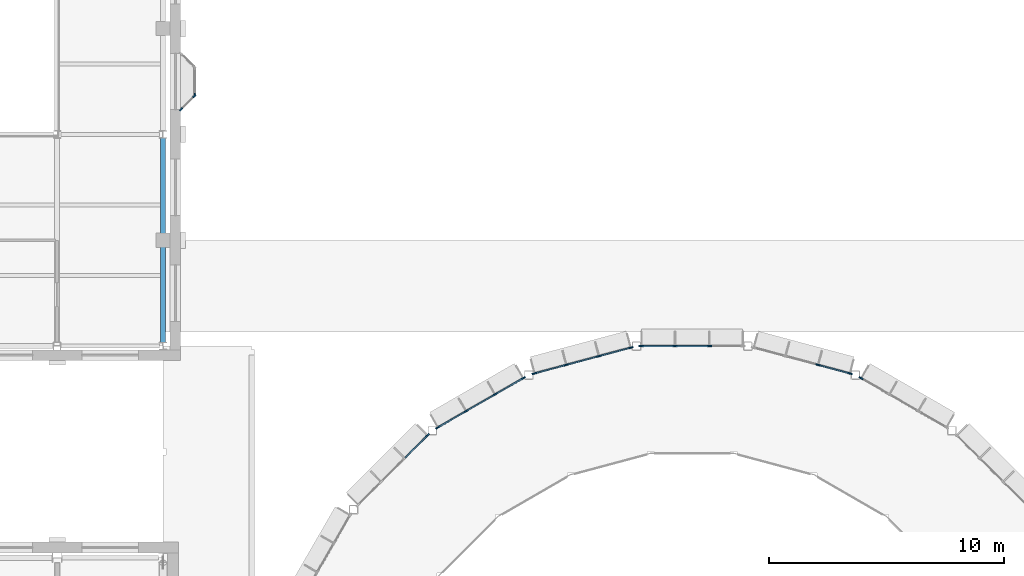
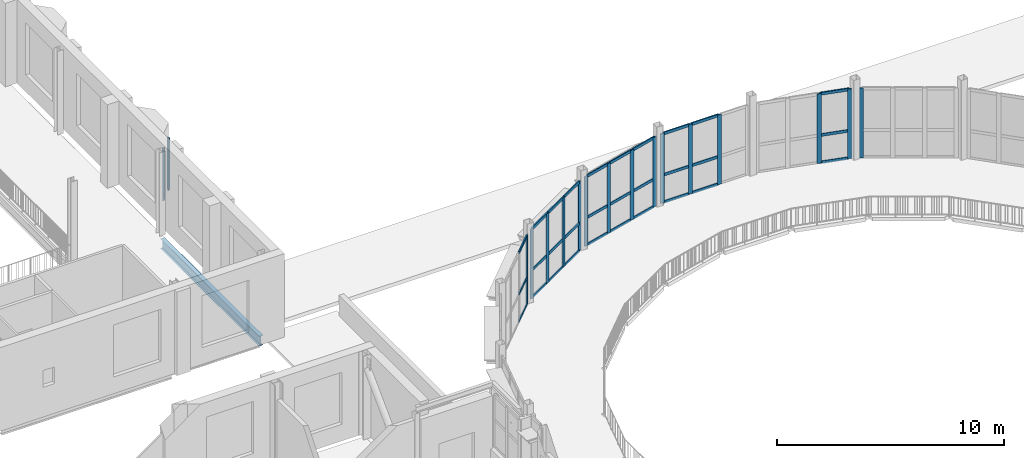
# One storey, part 17 of 74: 48 members, 1 beam, 8 elements without a shape of their own.
"""IFC4 building model written with IfcOpenShell, lengths in metres."""

from ifc_helpers import new_model, si_unit, direction, frame, origin, origin_2d, place, context, subcontext, project, spatial, rectangle, i_section, extrude, material, layer, layer_set, material_profile, profile_set, type_object, element, aggregate, save


model = new_model("IFC4")

# Units and contexts
model_context = context("Model", 3, precision=1e-05, world=origin(), true_north=direction((0.0, 1.0)))
body_context = subcontext(model_context, "Body", "Model", "MODEL_VIEW")
ifc_project = project(units=[si_unit("LENGTHUNIT", "METRE"), si_unit("AREAUNIT", "SQUARE_METRE"), si_unit("VOLUMEUNIT", "CUBIC_METRE"), si_unit("PLANEANGLEUNIT", "RADIAN"), si_unit("MASSUNIT", "GRAM", prefix="KILO")], contexts=[model_context])

# Site, building, storey
site_placement = place(None, origin())
site = spatial("IfcSite", under=ifc_project, at=site_placement, CompositionType="ELEMENT")
building_placement = place(site_placement, origin())
building = spatial("IfcBuilding", under=site, at=building_placement, Name="Hortulan Conservatory and Botanical Research Centre", CompositionType="ELEMENT")
storey_placement = place(building_placement, frame((0.0, 0.0, 6.0)))
storey = spatial("IfcBuildingStorey", under=building, at=storey_placement, Name="L01", CompositionType="ELEMENT", Elevation=6.0)

# Curtain wall, member
ifc_material_1 = material(Name="Bronze-finished aluminium", Category="aluminium")
ifc_layer_1 = layer(ifc_material_1, 0.10009765625)
ifc_layer_set_1 = layer_set([ifc_layer_1], Name="Oriel Curtain Wall 1350 module")
curtain_wall_type_1 = type_object("IfcCurtainWallType", Name="Oriel Curtain Wall 1350 module", PredefinedType="NOTDEFINED", material=ifc_layer_set_1)
curtain_wall_1_placement = place(storey_placement, origin())
curtain_wall_1 = element("IfcCurtainWall", 1, at=curtain_wall_1_placement, inside=storey, type_object=curtain_wall_type_1, Name="Oriel glazing", PredefinedType="NOTDEFINED")
ifc_material_profile_1 = material_profile(ifc_material_1, rectangle(XDim=0.06005859375, YDim=0.159912109375, at=origin_2d()), Name="Bronze Mullion 60x160")
ifc_profile_set_1 = profile_set([ifc_material_profile_1], Name="Bronze-finished aluminium")
member_type_1 = type_object("IfcMemberType", Name="Bronze Mullion 60x160", PredefinedType="MULLION", material=ifc_profile_set_1)
member_1_placement = place(storey_placement, frame((32.85009765625, 46.679931640625, 0.89990234375), z_axis=(0.0, 0.0, 1.0), x_axis=(1.0, 0.0, 0.0)))
member_1 = element("IfcMember", 2, at=member_1_placement, type_object=member_type_1, Name="CW2 mullion 2", PredefinedType="MULLION", context=body_context, shape_type="SweptSolid", body=[
    extrude(rectangle(XDim=0.06005859375, YDim=0.159912109375, at=origin_2d()), origin(), (0.0, 0.0, 1.0), 2.800048828125),
])
aggregate(curtain_wall_1, [member_1])

# Curtain wall, members
curtain_wall_2_placement = place(storey_placement, origin())
curtain_wall_2 = element("IfcCurtainWall", 3, at=curtain_wall_2_placement, inside=storey, type_object=curtain_wall_type_1, Name="Oriel glazing", PredefinedType="NOTDEFINED")
member_2_placement = place(storey_placement, frame((32.828857421875, 46.62890625, 0.89990234375), z_axis=(0.0, 0.0, 1.0), x_axis=(0.707106781187, -0.707106781187, 0.0)))
member_2 = element("IfcMember", 4, at=member_2_placement, type_object=member_type_1, Name="CW2 mullion 1", PredefinedType="MULLION", context=body_context, shape_type="SweptSolid", body=[
    extrude(rectangle(XDim=0.06005859375, YDim=0.159912109375, at=origin_2d()), origin(), (0.0, 0.0, 1.0), 2.800048828125),
])
member_3_placement = place(storey_placement, frame((32.271240234375, 46.0712890625, 0.89990234375), z_axis=(0.0, 0.0, 1.0), x_axis=(0.707106781187, -0.707106781187, 0.0)))
member_3 = element("IfcMember", 5, at=member_3_placement, type_object=member_type_1, Name="CW2 mullion 2", PredefinedType="MULLION", context=body_context, shape_type="SweptSolid", body=[
    extrude(rectangle(XDim=0.06005859375, YDim=0.159912109375, at=origin_2d()), origin(), (0.0, 0.0, 1.0), 2.800048828125),
])
aggregate(curtain_wall_2, [member_2, member_3])

# Curtain wall, member
ifc_layer_2 = layer(ifc_material_1, 0.10009765625)
ifc_layer_set_2 = layer_set([ifc_layer_2], Name="Bronze-framed Curtain Wall 1500 module")
curtain_wall_type_2 = type_object("IfcCurtainWallType", Name="Bronze-framed Curtain Wall 1500 module", PredefinedType="NOTDEFINED", material=ifc_layer_set_2)
curtain_wall_3_placement = place(storey_placement, origin())
curtain_wall_3 = element("IfcCurtainWall", 6, at=curtain_wall_3_placement, inside=storey, type_object=curtain_wall_type_2, Name="Curtain wall", PredefinedType="NOTDEFINED")
ifc_material_profile_2 = material_profile(ifc_material_1, rectangle(XDim=0.06005859375, YDim=0.199951171875, at=origin_2d()), Name="Bronze Mullion 60x200")
ifc_profile_set_2 = profile_set([ifc_material_profile_2], Name="Bronze-finished aluminium")
member_type_2 = type_object("IfcMemberType", Name="Bronze Mullion 60x200", PredefinedType="MULLION", material=ifc_profile_set_2)
member_4_placement = place(storey_placement, frame((61.18115234375, 34.638671875, 0.0), z_axis=(0.0, 0.0, 1.0), x_axis=(0.499981160235, 0.866036280655, 0.0)))
member_4 = element("IfcMember", 7, at=member_4_placement, type_object=member_type_2, Name="CW1 mullion 1", PredefinedType="MULLION", context=body_context, shape_type="SweptSolid", body=[
    extrude(rectangle(XDim=0.06005859375, YDim=0.199951171875, at=origin_2d()), origin(), (0.0, 0.0, 1.0), 3.75),
])
aggregate(curtain_wall_3, [member_4])

# Curtain wall, members
curtain_wall_4_placement = place(storey_placement, origin())
curtain_wall_4 = element("IfcCurtainWall", 8, at=curtain_wall_4_placement, inside=storey, type_object=curtain_wall_type_2, Name="Curtain wall", PredefinedType="NOTDEFINED")
member_5_placement = place(storey_placement, frame((59.35302734375, 35.20068359375, 0.0), z_axis=(0.0, 0.0, 1.0), x_axis=(0.258831936284, 0.965922372015, 0.0)))
member_5 = element("IfcMember", 9, at=member_5_placement, type_object=member_type_2, Name="CW1 mullion 3", PredefinedType="MULLION", context=body_context, shape_type="SweptSolid", body=[
    extrude(rectangle(XDim=0.06005859375, YDim=0.199951171875, at=origin_2d()), origin(), (0.0, 0.0, 1.0), 3.75),
])
member_6_placement = place(storey_placement, frame((60.7119140625, 34.83642578125, 0.0), z_axis=(0.0, 0.0, 1.0), x_axis=(0.258831936284, 0.965922372015, 0.0)))
member_6 = element("IfcMember", 10, at=member_6_placement, type_object=member_type_2, Name="CW1 mullion 4", PredefinedType="MULLION", context=body_context, shape_type="SweptSolid", body=[
    extrude(rectangle(XDim=0.06005859375, YDim=0.199951171875, at=origin_2d()), origin(), (0.0, 0.0, 1.0), 3.75),
])

curtain_wall_5_placement = place(storey_placement, origin())
curtain_wall_5 = element("IfcCurtainWall", 11, at=curtain_wall_5_placement, inside=storey, type_object=curtain_wall_type_2, Name="Curtain wall", PredefinedType="NOTDEFINED")
member_7_placement = place(storey_placement, frame((51.8349609375, 36.0, 0.0), z_axis=(0.0, 0.0, 1.0), x_axis=(0.0, 1.0, 0.0)))
member_7 = element("IfcMember", 12, at=member_7_placement, type_object=member_type_2, Name="CW1 mullion 1", PredefinedType="MULLION", context=body_context, shape_type="SweptSolid", body=[
    extrude(rectangle(XDim=0.06005859375, YDim=0.199951171875, at=origin_2d()), origin(), (0.0, 0.0, 1.0), 3.75),
])
member_8_placement = place(storey_placement, frame((53.268310546875, 36.0, 0.0), z_axis=(0.0, 0.0, 1.0), x_axis=(0.0, 1.0, 0.0)))
member_8 = element("IfcMember", 13, at=member_8_placement, type_object=member_type_2, Name="CW1 mullion 2", PredefinedType="MULLION", context=body_context, shape_type="SweptSolid", body=[
    extrude(rectangle(XDim=0.06005859375, YDim=0.199951171875, at=origin_2d()), origin(), (0.0, 0.0, 1.0), 3.75),
])
member_9_placement = place(storey_placement, frame((54.731689453125, 36.0, 0.0), z_axis=(0.0, 0.0, 1.0), x_axis=(0.0, 1.0, 0.0)))
member_9 = element("IfcMember", 14, at=member_9_placement, type_object=member_type_2, Name="CW1 mullion 3", PredefinedType="MULLION", context=body_context, shape_type="SweptSolid", body=[
    extrude(rectangle(XDim=0.06005859375, YDim=0.199951171875, at=origin_2d()), origin(), (0.0, 0.0, 1.0), 3.75),
])

curtain_wall_6_placement = place(storey_placement, origin())
curtain_wall_6 = element("IfcCurtainWall", 15, at=curtain_wall_6_placement, inside=storey, type_object=curtain_wall_type_2, Name="Curtain wall", PredefinedType="NOTDEFINED")
member_10_placement = place(storey_placement, frame((47.2880859375, 34.83642578125, 0.0), z_axis=(0.0, 0.0, 1.0), x_axis=(-0.258831936284, 0.965922372015, 0.0)))
member_10 = element("IfcMember", 16, at=member_10_placement, type_object=member_type_2, Name="CW1 mullion 1", PredefinedType="MULLION", context=body_context, shape_type="SweptSolid", body=[
    extrude(rectangle(XDim=0.06005859375, YDim=0.199951171875, at=origin_2d()), origin(), (0.0, 0.0, 1.0), 3.75),
])
member_11_placement = place(storey_placement, frame((48.64697265625, 35.20068359375, 0.0), z_axis=(0.0, 0.0, 1.0), x_axis=(-0.258831936284, 0.965922372015, 0.0)))
member_11 = element("IfcMember", 17, at=member_11_placement, type_object=member_type_2, Name="CW1 mullion 2", PredefinedType="MULLION", context=body_context, shape_type="SweptSolid", body=[
    extrude(rectangle(XDim=0.06005859375, YDim=0.199951171875, at=origin_2d()), origin(), (0.0, 0.0, 1.0), 3.75),
])
member_12_placement = place(storey_placement, frame((50.034912109375, 35.572509765625, 0.0), z_axis=(0.0, 0.0, 1.0), x_axis=(-0.258831936284, 0.965922372015, 0.0)))
member_12 = element("IfcMember", 18, at=member_12_placement, type_object=member_type_2, Name="CW1 mullion 3", PredefinedType="MULLION", context=body_context, shape_type="SweptSolid", body=[
    extrude(rectangle(XDim=0.06005859375, YDim=0.199951171875, at=origin_2d()), origin(), (0.0, 0.0, 1.0), 3.75),
])
member_13_placement = place(storey_placement, frame((51.39404296875, 35.936767578125, 0.0), z_axis=(0.0, 0.0, 1.0), x_axis=(-0.258831936284, 0.965922372015, 0.0)))
member_13 = element("IfcMember", 19, at=member_13_placement, type_object=member_type_2, Name="CW1 mullion 4", PredefinedType="MULLION", context=body_context, shape_type="SweptSolid", body=[
    extrude(rectangle(XDim=0.06005859375, YDim=0.199951171875, at=origin_2d()), origin(), (0.0, 0.0, 1.0), 3.75),
])

curtain_wall_7_placement = place(storey_placement, origin())
curtain_wall_7 = element("IfcCurtainWall", 20, at=curtain_wall_7_placement, inside=storey, type_object=curtain_wall_type_2, Name="Curtain wall", PredefinedType="NOTDEFINED")
member_14_placement = place(storey_placement, frame((43.18115234375, 32.538330078125, 0.0), z_axis=(0.0, 0.0, 1.0), x_axis=(-0.499981160235, 0.866036280655, 0.0)))
member_14 = element("IfcMember", 21, at=member_14_placement, type_object=member_type_2, Name="CW1 mullion 1", PredefinedType="MULLION", context=body_context, shape_type="SweptSolid", body=[
    extrude(rectangle(XDim=0.06005859375, YDim=0.199951171875, at=origin_2d()), origin(), (0.0, 0.0, 1.0), 3.75),
])
member_15_placement = place(storey_placement, frame((44.385009765625, 33.2333984375, 0.0), z_axis=(0.0, 0.0, 1.0), x_axis=(-0.499981160235, 0.866036280655, 0.0)))
member_15 = element("IfcMember", 22, at=member_15_placement, type_object=member_type_2, Name="CW1 mullion 2", PredefinedType="MULLION", context=body_context, shape_type="SweptSolid", body=[
    extrude(rectangle(XDim=0.06005859375, YDim=0.199951171875, at=origin_2d()), origin(), (0.0, 0.0, 1.0), 3.75),
])
member_16_placement = place(storey_placement, frame((45.614990234375, 33.943603515625, 0.0), z_axis=(0.0, 0.0, 1.0), x_axis=(-0.499981160235, 0.866036280655, 0.0)))
member_16 = element("IfcMember", 23, at=member_16_placement, type_object=member_type_2, Name="CW1 mullion 3", PredefinedType="MULLION", context=body_context, shape_type="SweptSolid", body=[
    extrude(rectangle(XDim=0.06005859375, YDim=0.199951171875, at=origin_2d()), origin(), (0.0, 0.0, 1.0), 3.75),
])
member_17_placement = place(storey_placement, frame((46.81884765625, 34.638671875, 0.0), z_axis=(0.0, 0.0, 1.0), x_axis=(-0.499981160235, 0.866036280655, 0.0)))
member_17 = element("IfcMember", 24, at=member_17_placement, type_object=member_type_2, Name="CW1 mullion 4", PredefinedType="MULLION", context=body_context, shape_type="SweptSolid", body=[
    extrude(rectangle(XDim=0.06005859375, YDim=0.199951171875, at=origin_2d()), origin(), (0.0, 0.0, 1.0), 3.75),
])

# Curtain wall, member
curtain_wall_8_placement = place(storey_placement, origin())
curtain_wall_8 = element("IfcCurtainWall", 25, at=curtain_wall_8_placement, inside=storey, type_object=curtain_wall_type_2, Name="Curtain wall", PredefinedType="NOTDEFINED")
member_18_placement = place(storey_placement, frame((42.751953125, 32.207763671875, 0.0), z_axis=(0.0, 0.0, 1.0), x_axis=(-0.707118558159, 0.707095004018, 0.0)))
member_18 = element("IfcMember", 26, at=member_18_placement, type_object=member_type_2, Name="CW1 mullion 4", PredefinedType="MULLION", context=body_context, shape_type="SweptSolid", body=[
    extrude(rectangle(XDim=0.06005859375, YDim=0.199951171875, at=origin_2d()), origin(), (0.0, 0.0, 1.0), 3.75),
])

# Member
ifc_material_profile_3 = material_profile(ifc_material_1, rectangle(XDim=0.06005859375, YDim=0.14990234375, at=origin_2d()), Name="Bronze Transom 60x150")
ifc_profile_set_3 = profile_set([ifc_material_profile_3], Name="Bronze-finished aluminium")
member_type_3 = type_object("IfcMemberType", Name="Bronze Transom 60x150", PredefinedType="USERDEFINED", material=ifc_profile_set_3)
member_19_placement = place(storey_placement, frame((59.382080078125, 35.19287109375, 0.030029296875), z_axis=(0.965921351189, -0.258835745824, 0.0), x_axis=(0.258835745824, 0.965921351189, 0.0)))
member_19 = element("IfcMember", 27, at=member_19_placement, type_object=member_type_3, Name="CW1 transom 3.1", ObjectType="TRANSOM", PredefinedType="USERDEFINED", context=body_context, shape_type="SweptSolid", body=[
    extrude(rectangle(XDim=0.06005859375, YDim=0.14990234375, at=origin_2d()), origin(), (0.0, 0.0, 1.0), 1.346923828125),
])

member_20_placement = place(storey_placement, frame((59.382080078125, 35.19287109375, 1.5), z_axis=(0.965921351189, -0.258835745824, 0.0), x_axis=(0.258835745824, 0.965921351189, 0.0)))
member_20 = element("IfcMember", 28, at=member_20_placement, type_object=member_type_3, Name="CW1 transom 3.2", ObjectType="TRANSOM", PredefinedType="USERDEFINED", context=body_context, shape_type="SweptSolid", body=[
    extrude(rectangle(XDim=0.06005859375, YDim=0.14990234375, at=origin_2d()), origin(), (0.0, 0.0, 1.0), 1.346923828125),
])

member_21_placement = place(storey_placement, frame((59.382080078125, 35.19287109375, 3.719970703125), z_axis=(0.965921351189, -0.258835745824, 0.0), x_axis=(0.258835745824, 0.965921351189, 0.0)))
member_21 = element("IfcMember", 29, at=member_21_placement, type_object=member_type_3, Name="CW1 transom 3.3", ObjectType="TRANSOM", PredefinedType="USERDEFINED", context=body_context, shape_type="SweptSolid", body=[
    extrude(rectangle(XDim=0.06005859375, YDim=0.14990234375, at=origin_2d()), origin(), (0.0, 0.0, 1.0), 1.346923828125),
])

aggregate(curtain_wall_4, [member_5, member_6, member_19, member_20, member_21])

member_22_placement = place(storey_placement, frame((51.864990234375, 36.0, 0.030029296875), z_axis=(1.0, 0.0, 0.0), x_axis=(0.0, 1.0, 0.0)))
member_22 = element("IfcMember", 30, at=member_22_placement, type_object=member_type_3, Name="CW1 transom 1.1", ObjectType="TRANSOM", PredefinedType="USERDEFINED", context=body_context, shape_type="SweptSolid", body=[
    extrude(rectangle(XDim=0.06005859375, YDim=0.14990234375, at=origin_2d()), origin(), (0.0, 0.0, 1.0), 1.373291015625),
])

member_23_placement = place(storey_placement, frame((51.864990234375, 36.0, 1.5), z_axis=(1.0, 0.0, 0.0), x_axis=(0.0, 1.0, 0.0)))
member_23 = element("IfcMember", 31, at=member_23_placement, type_object=member_type_3, Name="CW1 transom 1.2", ObjectType="TRANSOM", PredefinedType="USERDEFINED", context=body_context, shape_type="SweptSolid", body=[
    extrude(rectangle(XDim=0.06005859375, YDim=0.14990234375, at=origin_2d()), origin(), (0.0, 0.0, 1.0), 1.373291015625),
])

member_24_placement = place(storey_placement, frame((51.864990234375, 36.0, 3.719970703125), z_axis=(1.0, 0.0, 0.0), x_axis=(0.0, 1.0, 0.0)))
member_24 = element("IfcMember", 32, at=member_24_placement, type_object=member_type_3, Name="CW1 transom 1.3", ObjectType="TRANSOM", PredefinedType="USERDEFINED", context=body_context, shape_type="SweptSolid", body=[
    extrude(rectangle(XDim=0.06005859375, YDim=0.14990234375, at=origin_2d()), origin(), (0.0, 0.0, 1.0), 1.373291015625),
])

member_25_placement = place(storey_placement, frame((53.29833984375, 36.0, 0.030029296875), z_axis=(1.0, 0.0, 0.0), x_axis=(0.0, 1.0, 0.0)))
member_25 = element("IfcMember", 33, at=member_25_placement, type_object=member_type_3, Name="CW1 transom 2.1", ObjectType="TRANSOM", PredefinedType="USERDEFINED", context=body_context, shape_type="SweptSolid", body=[
    extrude(rectangle(XDim=0.06005859375, YDim=0.14990234375, at=origin_2d()), origin(), (0.0, 0.0, 1.0), 1.4033203125),
])

member_26_placement = place(storey_placement, frame((53.29833984375, 36.0, 1.5), z_axis=(1.0, 0.0, 0.0), x_axis=(0.0, 1.0, 0.0)))
member_26 = element("IfcMember", 34, at=member_26_placement, type_object=member_type_3, Name="CW1 transom 2.2", ObjectType="TRANSOM", PredefinedType="USERDEFINED", context=body_context, shape_type="SweptSolid", body=[
    extrude(rectangle(XDim=0.06005859375, YDim=0.14990234375, at=origin_2d()), origin(), (0.0, 0.0, 1.0), 1.4033203125),
])

member_27_placement = place(storey_placement, frame((53.29833984375, 36.0, 3.719970703125), z_axis=(1.0, 0.0, 0.0), x_axis=(0.0, 1.0, 0.0)))
member_27 = element("IfcMember", 35, at=member_27_placement, type_object=member_type_3, Name="CW1 transom 2.3", ObjectType="TRANSOM", PredefinedType="USERDEFINED", context=body_context, shape_type="SweptSolid", body=[
    extrude(rectangle(XDim=0.06005859375, YDim=0.14990234375, at=origin_2d()), origin(), (0.0, 0.0, 1.0), 1.4033203125),
])

aggregate(curtain_wall_5, [member_7, member_8, member_9, member_22, member_23, member_24, member_25, member_26, member_27])

member_28_placement = place(storey_placement, frame((47.31689453125, 34.84423828125, 0.030029296875), z_axis=(0.965921351189, 0.258835745824, 0.0), x_axis=(-0.258835745824, 0.965921351189, 0.0)))
member_28 = element("IfcMember", 36, at=member_28_placement, type_object=member_type_3, Name="CW1 transom 1.1", ObjectType="TRANSOM", PredefinedType="USERDEFINED", context=body_context, shape_type="SweptSolid", body=[
    extrude(rectangle(XDim=0.06005859375, YDim=0.14990234375, at=origin_2d()), origin(), (0.0, 0.0, 1.0), 1.346923828125),
])

member_29_placement = place(storey_placement, frame((47.31689453125, 34.84423828125, 1.5), z_axis=(0.965921351189, 0.258835745824, 0.0), x_axis=(-0.258835745824, 0.965921351189, 0.0)))
member_29 = element("IfcMember", 37, at=member_29_placement, type_object=member_type_3, Name="CW1 transom 1.2", ObjectType="TRANSOM", PredefinedType="USERDEFINED", context=body_context, shape_type="SweptSolid", body=[
    extrude(rectangle(XDim=0.06005859375, YDim=0.14990234375, at=origin_2d()), origin(), (0.0, 0.0, 1.0), 1.346923828125),
])

member_30_placement = place(storey_placement, frame((47.31689453125, 34.84423828125, 3.719970703125), z_axis=(0.965921351189, 0.258835745824, 0.0), x_axis=(-0.258835745824, 0.965921351189, 0.0)))
member_30 = element("IfcMember", 38, at=member_30_placement, type_object=member_type_3, Name="CW1 transom 1.3", ObjectType="TRANSOM", PredefinedType="USERDEFINED", context=body_context, shape_type="SweptSolid", body=[
    extrude(rectangle(XDim=0.06005859375, YDim=0.14990234375, at=origin_2d()), origin(), (0.0, 0.0, 1.0), 1.346923828125),
])

member_31_placement = place(storey_placement, frame((48.676025390625, 35.20849609375, 0.030029296875), z_axis=(0.965960711262, 0.258688817498, 0.0), x_axis=(-0.258688817498, 0.965960711262, 0.0)))
member_31 = element("IfcMember", 39, at=member_31_placement, type_object=member_type_3, Name="CW1 transom 2.1", ObjectType="TRANSOM", PredefinedType="USERDEFINED", context=body_context, shape_type="SweptSolid", body=[
    extrude(rectangle(XDim=0.06005859375, YDim=0.14990234375, at=origin_2d()), origin(), (0.0, 0.0, 1.0), 1.376953125),
])

member_32_placement = place(storey_placement, frame((48.676025390625, 35.20849609375, 1.5), z_axis=(0.965960711262, 0.258688817498, 0.0), x_axis=(-0.258688817498, 0.965960711262, 0.0)))
member_32 = element("IfcMember", 40, at=member_32_placement, type_object=member_type_3, Name="CW1 transom 2.2", ObjectType="TRANSOM", PredefinedType="USERDEFINED", context=body_context, shape_type="SweptSolid", body=[
    extrude(rectangle(XDim=0.06005859375, YDim=0.14990234375, at=origin_2d()), origin(), (0.0, 0.0, 1.0), 1.376953125),
])

member_33_placement = place(storey_placement, frame((48.676025390625, 35.20849609375, 3.719970703125), z_axis=(0.965960711262, 0.258688817498, 0.0), x_axis=(-0.258688817498, 0.965960711262, 0.0)))
member_33 = element("IfcMember", 41, at=member_33_placement, type_object=member_type_3, Name="CW1 transom 2.3", ObjectType="TRANSOM", PredefinedType="USERDEFINED", context=body_context, shape_type="SweptSolid", body=[
    extrude(rectangle(XDim=0.06005859375, YDim=0.14990234375, at=origin_2d()), origin(), (0.0, 0.0, 1.0), 1.376953125),
])

member_34_placement = place(storey_placement, frame((50.06396484375, 35.580322265625, 0.030029296875), z_axis=(0.965921351189, 0.258835745824, 0.0), x_axis=(-0.258835745824, 0.965921351189, 0.0)))
member_34 = element("IfcMember", 42, at=member_34_placement, type_object=member_type_3, Name="CW1 transom 3.1", ObjectType="TRANSOM", PredefinedType="USERDEFINED", context=body_context, shape_type="SweptSolid", body=[
    extrude(rectangle(XDim=0.06005859375, YDim=0.14990234375, at=origin_2d()), origin(), (0.0, 0.0, 1.0), 1.346923828125),
])

member_35_placement = place(storey_placement, frame((50.06396484375, 35.580322265625, 1.5), z_axis=(0.965921351189, 0.258835745824, 0.0), x_axis=(-0.258835745824, 0.965921351189, 0.0)))
member_35 = element("IfcMember", 43, at=member_35_placement, type_object=member_type_3, Name="CW1 transom 3.2", ObjectType="TRANSOM", PredefinedType="USERDEFINED", context=body_context, shape_type="SweptSolid", body=[
    extrude(rectangle(XDim=0.06005859375, YDim=0.14990234375, at=origin_2d()), origin(), (0.0, 0.0, 1.0), 1.346923828125),
])

member_36_placement = place(storey_placement, frame((50.06396484375, 35.580322265625, 3.719970703125), z_axis=(0.965921351189, 0.258835745824, 0.0), x_axis=(-0.258835745824, 0.965921351189, 0.0)))
member_36 = element("IfcMember", 44, at=member_36_placement, type_object=member_type_3, Name="CW1 transom 3.3", ObjectType="TRANSOM", PredefinedType="USERDEFINED", context=body_context, shape_type="SweptSolid", body=[
    extrude(rectangle(XDim=0.06005859375, YDim=0.14990234375, at=origin_2d()), origin(), (0.0, 0.0, 1.0), 1.346923828125),
])

aggregate(curtain_wall_6, [member_10, member_11, member_12, member_13, member_28, member_29, member_30, member_31, member_32, member_33, member_34, member_35, member_36])

member_37_placement = place(storey_placement, frame((43.20703125, 32.553466796875, 0.030029296875), z_axis=(0.866066400931, 0.499928984136, 0.0), x_axis=(-0.499928984136, 0.866066400931, 0.0)))
member_37 = element("IfcMember", 45, at=member_37_placement, type_object=member_type_3, Name="CW1 transom 1.1", ObjectType="TRANSOM", PredefinedType="USERDEFINED", context=body_context, shape_type="SweptSolid", body=[
    extrude(rectangle(XDim=0.06005859375, YDim=0.14990234375, at=origin_2d()), origin(), (0.0, 0.0, 1.0), 1.330322265625),
])

member_38_placement = place(storey_placement, frame((43.20703125, 32.553466796875, 1.5), z_axis=(0.866066400931, 0.499928984136, 0.0), x_axis=(-0.499928984136, 0.866066400931, 0.0)))
member_38 = element("IfcMember", 46, at=member_38_placement, type_object=member_type_3, Name="CW1 transom 1.2", ObjectType="TRANSOM", PredefinedType="USERDEFINED", context=body_context, shape_type="SweptSolid", body=[
    extrude(rectangle(XDim=0.06005859375, YDim=0.14990234375, at=origin_2d()), origin(), (0.0, 0.0, 1.0), 1.330322265625),
])

member_39_placement = place(storey_placement, frame((43.20703125, 32.553466796875, 3.719970703125), z_axis=(0.866066400931, 0.499928984136, 0.0), x_axis=(-0.499928984136, 0.866066400931, 0.0)))
member_39 = element("IfcMember", 47, at=member_39_placement, type_object=member_type_3, Name="CW1 transom 1.3", ObjectType="TRANSOM", PredefinedType="USERDEFINED", context=body_context, shape_type="SweptSolid", body=[
    extrude(rectangle(XDim=0.06005859375, YDim=0.14990234375, at=origin_2d()), origin(), (0.0, 0.0, 1.0), 1.330322265625),
])

member_40_placement = place(storey_placement, frame((44.4111328125, 33.24853515625, 0.030029296875), z_axis=(0.866036107898, 0.499981459473, 0.0), x_axis=(-0.499981459473, 0.866036107898, 0.0)))
member_40 = element("IfcMember", 48, at=member_40_placement, type_object=member_type_3, Name="CW1 transom 2.1", ObjectType="TRANSOM", PredefinedType="USERDEFINED", context=body_context, shape_type="SweptSolid", body=[
    extrude(rectangle(XDim=0.06005859375, YDim=0.14990234375, at=origin_2d()), origin(), (0.0, 0.0, 1.0), 1.35986328125),
])

member_41_placement = place(storey_placement, frame((44.4111328125, 33.24853515625, 1.5), z_axis=(0.866036107898, 0.499981459473, 0.0), x_axis=(-0.499981459473, 0.866036107898, 0.0)))
member_41 = element("IfcMember", 49, at=member_41_placement, type_object=member_type_3, Name="CW1 transom 2.2", ObjectType="TRANSOM", PredefinedType="USERDEFINED", context=body_context, shape_type="SweptSolid", body=[
    extrude(rectangle(XDim=0.06005859375, YDim=0.14990234375, at=origin_2d()), origin(), (0.0, 0.0, 1.0), 1.35986328125),
])

member_42_placement = place(storey_placement, frame((44.4111328125, 33.24853515625, 3.719970703125), z_axis=(0.866036107898, 0.499981459473, 0.0), x_axis=(-0.499981459473, 0.866036107898, 0.0)))
member_42 = element("IfcMember", 50, at=member_42_placement, type_object=member_type_3, Name="CW1 transom 2.3", ObjectType="TRANSOM", PredefinedType="USERDEFINED", context=body_context, shape_type="SweptSolid", body=[
    extrude(rectangle(XDim=0.06005859375, YDim=0.14990234375, at=origin_2d()), origin(), (0.0, 0.0, 1.0), 1.35986328125),
])

member_43_placement = place(storey_placement, frame((45.640869140625, 33.95849609375, 0.030029296875), z_axis=(0.866066400931, 0.499928984136, 0.0), x_axis=(-0.499928984136, 0.866066400931, 0.0)))
member_43 = element("IfcMember", 51, at=member_43_placement, type_object=member_type_3, Name="CW1 transom 3.1", ObjectType="TRANSOM", PredefinedType="USERDEFINED", context=body_context, shape_type="SweptSolid", body=[
    extrude(rectangle(XDim=0.06005859375, YDim=0.14990234375, at=origin_2d()), origin(), (0.0, 0.0, 1.0), 1.330322265625),
])

member_44_placement = place(storey_placement, frame((45.640869140625, 33.95849609375, 1.5), z_axis=(0.866066400931, 0.499928984136, 0.0), x_axis=(-0.499928984136, 0.866066400931, 0.0)))
member_44 = element("IfcMember", 52, at=member_44_placement, type_object=member_type_3, Name="CW1 transom 3.2", ObjectType="TRANSOM", PredefinedType="USERDEFINED", context=body_context, shape_type="SweptSolid", body=[
    extrude(rectangle(XDim=0.06005859375, YDim=0.14990234375, at=origin_2d()), origin(), (0.0, 0.0, 1.0), 1.330322265625),
])

member_45_placement = place(storey_placement, frame((45.640869140625, 33.95849609375, 3.719970703125), z_axis=(0.866066400931, 0.499928984136, 0.0), x_axis=(-0.499928984136, 0.866066400931, 0.0)))
member_45 = element("IfcMember", 53, at=member_45_placement, type_object=member_type_3, Name="CW1 transom 3.3", ObjectType="TRANSOM", PredefinedType="USERDEFINED", context=body_context, shape_type="SweptSolid", body=[
    extrude(rectangle(XDim=0.06005859375, YDim=0.14990234375, at=origin_2d()), origin(), (0.0, 0.0, 1.0), 1.330322265625),
])

aggregate(curtain_wall_7, [member_14, member_15, member_16, member_17, member_37, member_38, member_39, member_40, member_41, member_42, member_43, member_44, member_45])

member_46_placement = place(storey_placement, frame((41.793701171875, 31.24951171875, 0.030029296875), z_axis=(0.707106781187, 0.707106781187, 0.0), x_axis=(-0.707106781187, 0.707106781187, 0.0)))
member_46 = element("IfcMember", 54, at=member_46_placement, type_object=member_type_3, Name="CW1 transom 3.1", ObjectType="TRANSOM", PredefinedType="USERDEFINED", context=body_context, shape_type="SweptSolid", body=[
    extrude(rectangle(XDim=0.06005859375, YDim=0.14990234375, at=origin_2d()), origin(), (0.0, 0.0, 1.0), 1.3251953125),
])

member_47_placement = place(storey_placement, frame((41.793701171875, 31.24951171875, 1.5), z_axis=(0.707106781187, 0.707106781187, 0.0), x_axis=(-0.707106781187, 0.707106781187, 0.0)))
member_47 = element("IfcMember", 55, at=member_47_placement, type_object=member_type_3, Name="CW1 transom 3.2", ObjectType="TRANSOM", PredefinedType="USERDEFINED", context=body_context, shape_type="SweptSolid", body=[
    extrude(rectangle(XDim=0.06005859375, YDim=0.14990234375, at=origin_2d()), origin(), (0.0, 0.0, 1.0), 1.3251953125),
])

member_48_placement = place(storey_placement, frame((41.793701171875, 31.24951171875, 3.719970703125), z_axis=(0.707106781187, 0.707106781187, 0.0), x_axis=(-0.707106781187, 0.707106781187, 0.0)))
member_48 = element("IfcMember", 56, at=member_48_placement, type_object=member_type_3, Name="CW1 transom 3.3", ObjectType="TRANSOM", PredefinedType="USERDEFINED", context=body_context, shape_type="SweptSolid", body=[
    extrude(rectangle(XDim=0.06005859375, YDim=0.14990234375, at=origin_2d()), origin(), (0.0, 0.0, 1.0), 1.3251953125),
])

aggregate(curtain_wall_8, [member_18, member_46, member_47, member_48])

# Beam
ifc_material_2 = material(Name="Steel Grade 300PLUS (AS/NZS 3679.1, 280 MPa minimum yield)", Category="steel")
ifc_material_profile_4 = material_profile(ifc_material_2, i_section(OverallWidth=0.208984375, OverallDepth=0.528076171875, WebThickness=0.009521484375, FlangeThickness=0.01318359375, FilletRadius=0.013916015625, at=origin_2d()), Name="530UB82.0")
ifc_profile_set_4 = profile_set([ifc_material_profile_4], Name="Steel Grade 300PLUS (AS/NZS 3679.1, 280 MPa minimum yield)")
beam_type = type_object("IfcBeamType", Name="Primary Beam 530UB82.0", PredefinedType="BEAM", material=ifc_profile_set_4)
beam_placement = place(storey_placement, frame((31.5, 36.160400390625, -0.39404296875), z_axis=(0.0, 1.0, 0.0), x_axis=(-1.0, 0.0, 0.0)))
element("IfcBeam", 57, at=beam_placement, inside=storey, type_object=beam_type, Name="530UB82.0 girder", PredefinedType="BEAM", context=body_context, shape_type="SweptSolid", body=[
    extrude(i_section(OverallWidth=0.208984375, OverallDepth=0.528076171875, WebThickness=0.009521484375, FlangeThickness=0.01318359375, FilletRadius=0.013916015625, at=origin_2d()), origin(), (0.0, 0.0, 1.0), 8.67919921875),
])

save(model, "model.ifc")
